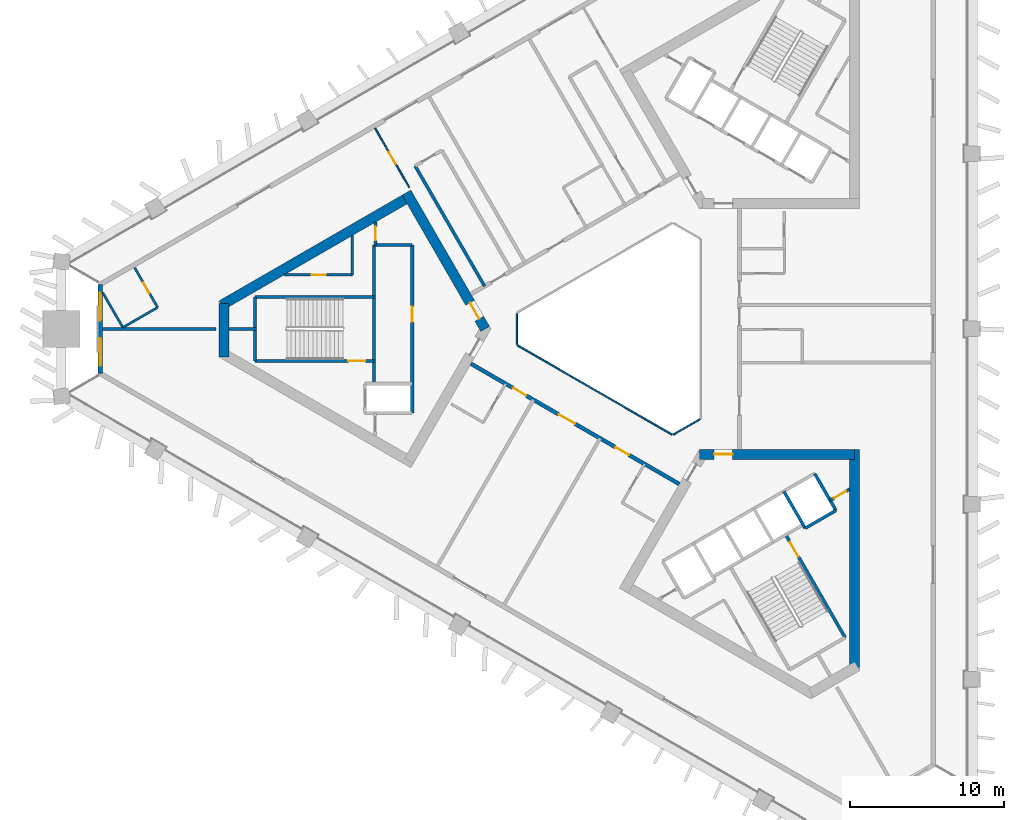
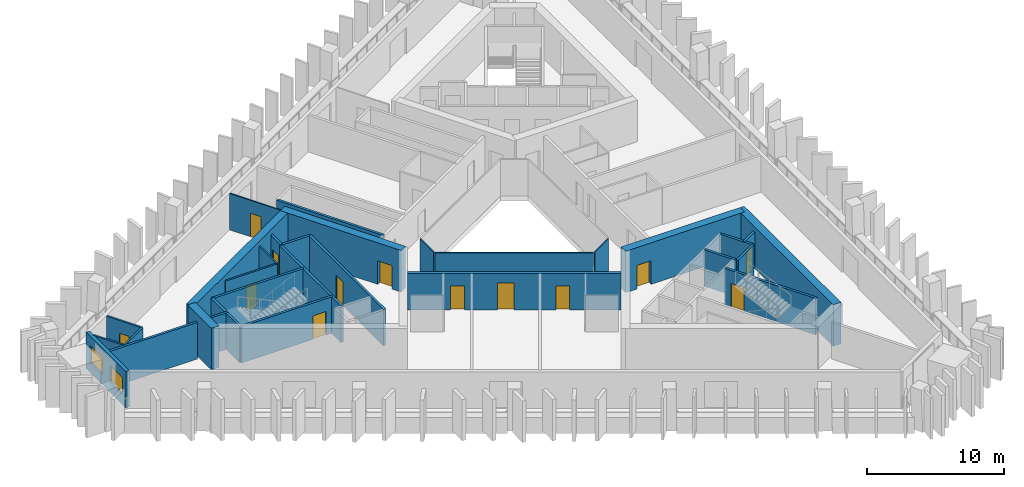
# One storey, part 3 of 10: 31 walls, 13 doors, 2 windows, 15 openings.
"""IFC4 building model written with IfcOpenShell, lengths in metres."""

from ifc_helpers import new_model, si_unit, direction, frame, frame_2d, origin, place, context, subcontext, project, spatial, rectangle, extrude, material, layer, layer_set, type_object, element, fill, save


model = new_model("IFC4")

# Units and contexts
model_context = context("Model", 3, precision=1e-05, world=origin(), true_north=direction((0.0, 1.0)))
body_context = subcontext(model_context, "Body", "Model", "MODEL_VIEW")
ifc_project = project(units=[si_unit("LENGTHUNIT", "METRE"), si_unit("AREAUNIT", "SQUARE_METRE"), si_unit("VOLUMEUNIT", "CUBIC_METRE"), si_unit("PLANEANGLEUNIT", "RADIAN"), si_unit("MASSUNIT", "GRAM", prefix="KILO")], contexts=[model_context])

# Site, building, storey
site_placement = place(None, origin())
site = spatial("IfcSite", under=ifc_project, at=site_placement, CompositionType="ELEMENT")
building_placement = place(site_placement, origin())
building = spatial("IfcBuilding", under=site, at=building_placement, Name="Jabali Bay Hotel Tower and Convention Centre", CompositionType="ELEMENT")
storey_placement = place(building_placement, frame((0.0, 0.0, 121.60009765625)))
storey = spatial("IfcBuildingStorey", under=building, at=storey_placement, Name="L29", CompositionType="ELEMENT", Elevation=121.60009765625)

# Walls
ifc_material_1 = material(Name="Fire-resistant glazing", Category="glass")
ifc_layer_1 = layer(ifc_material_1, 0.10009765625)
ifc_layer_set_1 = layer_set([ifc_layer_1], Name="Fire-resistant glazing")
wall_type_1 = type_object("IfcWallType", Name="Atrium glazed screen 100", PredefinedType="PARTITIONING", material=ifc_layer_set_1)
wall_1_placement = place(storey_placement, frame((67.672119140625, 81.0, 0.0), z_axis=(0.0, 0.0, 1.0), x_axis=(0.0, -1.0, 0.0)))
element("IfcWall", 1, at=wall_1_placement, inside=storey, type_object=wall_type_1, Name="Atrium screen 4 L29", PredefinedType="PARTITIONING", context=body_context, shape_type="SweptSolid", body=[
    extrude(rectangle(XDim=2.0, YDim=0.10009765625, at=frame_2d((1.0, 0.0))), origin(), (0.0, 0.0, 1.0), 3.25),
])
wall_2_placement = place(storey_placement, frame((67.7021484375, 78.947998046875, 0.0), z_axis=(0.0, 0.0, 1.0), x_axis=(0.866026658274, -0.499997827154, 0.0)))
element("IfcWall", 2, at=wall_2_placement, inside=storey, type_object=wall_type_1, Name="Atrium screen 5 L29", PredefinedType="PARTITIONING", context=body_context, shape_type="SweptSolid", body=[
    extrude(rectangle(XDim=11.58837890625, YDim=0.10009765625, at=frame_2d((5.794189453125, 0.0))), origin(), (0.0, 0.0, 1.0), 3.25),
])
wall_3_placement = place(storey_placement, frame((77.7978515625, 73.15380859375, 0.0), z_axis=(0.0, 0.0, 1.0), x_axis=(0.866041268327, 0.499972520799, 0.0)))
element("IfcWall", 3, at=wall_3_placement, inside=storey, type_object=wall_type_1, Name="Atrium screen 6 L29", PredefinedType="PARTITIONING", context=body_context, shape_type="SweptSolid", body=[
    extrude(rectangle(XDim=2.0, YDim=0.10009765625, at=frame_2d((1.0, 0.0))), origin(), (0.0, 0.0, 1.0), 3.25),
])
ifc_material_2 = material(Name="Concrete C40", Category="concrete")
ifc_layer_2 = layer(ifc_material_2, 0.199951171875)
ifc_layer_set_2 = layer_set([ifc_layer_2], Name="Concrete C40")
wall_type_2 = type_object("IfcWallType", Name="Core partition wall 200", PredefinedType="PARTITIONING", material=ifc_layer_set_2)
wall_4_placement = place(storey_placement, frame((50.820068359375, 80.0, 0.0), z_axis=(0.0, 0.0, 1.0), x_axis=(-1.0, 0.0, 0.0)))
element("IfcWall", 4, at=wall_4_placement, inside=storey, type_object=wall_type_2, Name="Core wall 0.3 L29", PredefinedType="PARTITIONING", context=body_context, shape_type="SweptSolid", body=[
    extrude(rectangle(XDim=1.773193359375, YDim=0.199951171875, at=frame_2d((0.88671875, 0.0))), origin(), (0.0, 0.0, 1.0), 3.25),
])

# Wall, opening, door
wall_5_placement = place(storey_placement, frame((58.52001953125, 86.916748046875, 0.0), z_axis=(0.0, 0.0, 1.0), x_axis=(0.0, -1.0, 0.0)))
wall_5 = element("IfcWall", 5, at=wall_5_placement, inside=storey, type_object=wall_type_2, Name="Core wall 0.8 L29", PredefinedType="PARTITIONING", context=body_context, shape_type="SweptSolid", body=[
    extrude(rectangle(XDim=1.466796875, YDim=0.199951171875, at=frame_2d((0.7333984375, 0.0))), origin(), (0.0, 0.0, 1.0), 3.25),
])
opening_1_placement = place(wall_5_placement, frame((0.283447265625, 0.0, 0.0)))
opening_1 = element("IfcOpeningElement", 6, at=opening_1_placement, cuts=wall_5, Name="Opening D644", PredefinedType="OPENING", context=body_context, shape_type="SweptSolid", body=[
    extrude(rectangle(XDim=0.89990234375, YDim=2.10009765625, at=frame_2d((0.449951171875, 1.050048828125))), frame((0.0, 0.1103515625, 0.0), z_axis=(0.0, -1.0, 0.0), x_axis=(1.0, 0.0, 0.0)), (0.0, 0.0, 1.0), 0.220947265625),
])
ifc_material_3 = material(Name="Fire-rated steel door", Category="steel")
door_type_1 = type_object("IfcDoorType", Name="Vestibule fire door 900 x 2100", OperationType="NOTDEFINED", PredefinedType="NOTDEFINED", material=ifc_material_3)
door_1_placement = place(opening_1_placement, origin())
door_1 = element("IfcDoor", 7, at=door_1_placement, inside=storey, type_object=door_type_1, Name="Vestibule fire door D644", OperationType="SINGLE_SWING_LEFT", OverallHeight=2.10009765625, OverallWidth=0.89990234375, PredefinedType="NOTDEFINED", context=body_context, shape_type="SweptSolid", body=[
    extrude(rectangle(XDim=0.89990234375, YDim=2.10009765625, at=frame_2d((0.449951171875, 1.050048828125))), frame((0.0, 0.02490234375, 0.0), z_axis=(0.0, -1.0, 0.0), x_axis=(1.0, 0.0, 0.0)), (0.0, 0.0, 1.0), 0.050048828125),
])
fill(opening_1, door_1)

wall_6_placement = place(storey_placement, frame((87.964599609375, 68.89453125, 0.0), z_axis=(0.0, 0.0, 1.0), x_axis=(0.866054810376, 0.49994906283, 0.0)))
wall_6 = element("IfcWall", 8, at=wall_6_placement, inside=storey, type_object=wall_type_2, Name="Core wall 2.12 L29", PredefinedType="PARTITIONING", context=body_context, shape_type="SweptSolid", body=[
    extrude(rectangle(XDim=1.461181640625, YDim=0.199951171875, at=frame_2d((0.73046875, 0.0))), origin(), (0.0, 0.0, 1.0), 3.25),
])
opening_2_placement = place(wall_6_placement, frame((0.280517578125, 0.0, 0.0)))
opening_2 = element("IfcOpeningElement", 9, at=opening_2_placement, cuts=wall_6, Name="Opening D655", PredefinedType="OPENING", context=body_context, shape_type="SweptSolid", body=[
    extrude(rectangle(XDim=0.89990234375, YDim=2.10009765625, at=frame_2d((0.449951171875, 1.050048828125))), frame((0.0, 0.1103515625, 0.0), z_axis=(0.0, -1.0, 0.0), x_axis=(1.0, 0.0, 0.0)), (0.0, 0.0, 1.0), 0.220947265625),
])
door_2_placement = place(opening_2_placement, origin())
door_2 = element("IfcDoor", 10, at=door_2_placement, inside=storey, type_object=door_type_1, Name="Vestibule fire door D655", OperationType="SINGLE_SWING_LEFT", OverallHeight=2.10009765625, OverallWidth=0.89990234375, PredefinedType="NOTDEFINED", context=body_context, shape_type="SweptSolid", body=[
    extrude(rectangle(XDim=0.89990234375, YDim=2.10009765625, at=frame_2d((0.449951171875, 1.050048828125))), frame((0.0, 0.02490234375, 0.0), z_axis=(0.0, -1.0, 0.0), x_axis=(1.0, 0.0, 0.0)), (0.0, 0.0, 1.0), 0.050048828125),
])
fill(opening_2, door_2)

ifc_material_4 = material(Name="Fire-rated board partition")
ifc_layer_3 = layer(ifc_material_4, 0.14990234375)
ifc_layer_set_3 = layer_set([ifc_layer_3], Name="Fire-rated board partition")
wall_type_3 = type_object("IfcWallType", Name="Core room partition 150", PredefinedType="PARTITIONING", material=ifc_layer_set_3)
wall_7_placement = place(storey_placement, frame((57.02001953125, 83.5, 0.0), z_axis=(0.0, 0.0, 1.0), x_axis=(-1.0, 0.0, 0.0)))
wall_7 = element("IfcWall", 11, at=wall_7_placement, inside=storey, type_object=wall_type_3, Name="Core wall 0.1 L29", PredefinedType="PARTITIONING", context=body_context, shape_type="SweptSolid", body=[
    extrude(rectangle(XDim=4.417724609375, YDim=0.14990234375, at=frame_2d((2.208984375, 0.0))), origin(), (0.0, 0.0, 1.0), 3.25),
])
opening_3_placement = place(wall_7_placement, frame((1.7314453125, 0.0, 0.0)))
opening_3 = element("IfcOpeningElement", 12, at=opening_3_placement, cuts=wall_7, Name="Opening D646", PredefinedType="OPENING", context=body_context, shape_type="SweptSolid", body=[
    extrude(rectangle(XDim=0.89990234375, YDim=2.10009765625, at=frame_2d((0.449951171875, 1.050048828125))), frame((0.0, 0.08544921875, 0.0), z_axis=(0.0, -1.0, 0.0), x_axis=(1.0, 0.0, 0.0)), (0.0, 0.0, 1.0), 0.1708984375),
])
door_type_2 = type_object("IfcDoorType", Name="Core room door 900 x 2100", OperationType="NOTDEFINED", PredefinedType="NOTDEFINED", material=ifc_material_3)
door_3_placement = place(opening_3_placement, origin())
door_3 = element("IfcDoor", 13, at=door_3_placement, inside=storey, type_object=door_type_2, Name="Core room door D646", OperationType="SINGLE_SWING_LEFT", OverallHeight=2.10009765625, OverallWidth=0.89990234375, PredefinedType="NOTDEFINED", context=body_context, shape_type="SweptSolid", body=[
    extrude(rectangle(XDim=0.89990234375, YDim=2.10009765625, at=frame_2d((0.449951171875, 1.050048828125))), frame((0.0, 0.02490234375, 0.0), z_axis=(0.0, -1.0, 0.0), x_axis=(1.0, 0.0, 0.0)), (0.0, 0.0, 1.0), 0.050048828125),
])
fill(opening_3, door_3)

# Walls
wall_8_placement = place(storey_placement, frame((57.02001953125, 86.050537109375, 0.0), z_axis=(0.0, 0.0, 1.0), x_axis=(0.0, -1.0, 0.0)))
element("IfcWall", 14, at=wall_8_placement, inside=storey, type_object=wall_type_3, Name="Core wall 0.12 L29", PredefinedType="PARTITIONING", context=body_context, shape_type="SweptSolid", body=[
    extrude(rectangle(XDim=2.550537109375, YDim=0.14990234375, at=frame_2d((1.275390625, 0.0))), origin(), (0.0, 0.0, 1.0), 3.25),
])
ifc_layer_4 = layer(ifc_material_2, 0.199951171875)
ifc_layer_set_4 = layer_set([ifc_layer_4], Name="Concrete C40")
wall_type_4 = type_object("IfcWallType", Name="Core stair wall 200", PredefinedType="SOLIDWALL", material=ifc_layer_set_4)
wall_9_placement = place(storey_placement, frame((60.89990234375, 85.449951171875, 0.0), z_axis=(0.0, 0.0, 1.0), x_axis=(-1.0, 0.0, 0.0)))
element("IfcWall", 15, at=wall_9_placement, inside=storey, type_object=wall_type_4, Name="Core wall 0.0 L29", PredefinedType="SOLIDWALL", context=body_context, shape_type="SweptSolid", body=[
    extrude(rectangle(XDim=2.47998046875, YDim=0.199951171875, at=frame_2d((1.239990234375, 0.0))), origin(), (0.0, 0.0, 1.0), 3.25),
])
wall_10_placement = place(storey_placement, frame((58.419921875, 82.074951171875, 0.0), z_axis=(0.0, 0.0, 1.0), x_axis=(-1.0, 0.0, 0.0)))
element("IfcWall", 16, at=wall_10_placement, inside=storey, type_object=wall_type_4, Name="Core wall 0.2 L29", PredefinedType="SOLIDWALL", context=body_context, shape_type="SweptSolid", body=[
    extrude(rectangle(XDim=7.699951171875, YDim=0.199951171875, at=frame_2d((3.85009765625, 0.0))), origin(), (0.0, 0.0, 1.0), 3.25),
])

# Wall, opening, door
wall_11_placement = place(storey_placement, frame((58.419921875, 77.925048828125, 0.0), z_axis=(0.0, 0.0, 1.0), x_axis=(-1.0, 0.0, 0.0)))
wall_11 = element("IfcWall", 17, at=wall_11_placement, inside=storey, type_object=wall_type_4, Name="Core wall 0.4 L29", PredefinedType="SOLIDWALL", context=body_context, shape_type="SweptSolid", body=[
    extrude(rectangle(XDim=7.699951171875, YDim=0.199951171875, at=frame_2d((3.85009765625, 0.0))), origin(), (0.0, 0.0, 1.0), 3.25),
])
opening_4_placement = place(wall_11_placement, frame((0.550048828125, 0.0, 0.0)))
opening_4 = element("IfcOpeningElement", 18, at=opening_4_placement, cuts=wall_11, Name="Opening D645", PredefinedType="OPENING", context=body_context, shape_type="SweptSolid", body=[
    extrude(rectangle(XDim=1.10009765625, YDim=2.10009765625, at=frame_2d((0.550048828125, 1.050048828125))), frame((0.0, 0.1103515625, 0.0), z_axis=(0.0, -1.0, 0.0), x_axis=(1.0, 0.0, 0.0)), (0.0, 0.0, 1.0), 0.220947265625),
])
door_type_3 = type_object("IfcDoorType", Name="Stair fire door 1100 x 2100", OperationType="NOTDEFINED", PredefinedType="NOTDEFINED", material=ifc_material_3)
door_4_placement = place(opening_4_placement, origin())
door_4 = element("IfcDoor", 19, at=door_4_placement, inside=storey, type_object=door_type_3, Name="Stair fire door D645", OperationType="SINGLE_SWING_RIGHT", OverallHeight=2.10009765625, OverallWidth=1.10009765625, PredefinedType="NOTDEFINED", context=body_context, shape_type="SweptSolid", body=[
    extrude(rectangle(XDim=1.10009765625, YDim=2.10009765625, at=frame_2d((0.550048828125, 1.050048828125))), frame((0.0, 0.02490234375, 0.0), z_axis=(0.0, -1.0, 0.0), x_axis=(1.0, 0.0, 0.0)), (0.0, 0.0, 1.0), 0.050048828125),
])
fill(opening_4, door_4)

wall_12_placement = place(storey_placement, frame((60.89990234375, 85.449951171875, 0.0), z_axis=(0.0, 0.0, 1.0), x_axis=(0.0, -1.0, 0.0)))
wall_12 = element("IfcWall", 20, at=wall_12_placement, inside=storey, type_object=wall_type_4, Name="Core wall 0.7 L29", PredefinedType="SOLIDWALL", context=body_context, shape_type="SweptSolid", body=[
    extrude(rectangle(XDim=10.89990234375, YDim=0.199951171875, at=frame_2d((5.449951171875, 0.0))), origin(), (0.0, 0.0, 1.0), 3.25),
])
opening_5_placement = place(wall_12_placement, frame((4.0, 0.0, 0.0)))
opening_5 = element("IfcOpeningElement", 21, at=opening_5_placement, cuts=wall_12, Name="Opening D642", PredefinedType="OPENING", context=body_context, shape_type="SweptSolid", body=[
    extrude(rectangle(XDim=1.0, YDim=2.10009765625, at=frame_2d((0.5, 1.050048828125))), frame((0.0, 0.1103515625, 0.0), z_axis=(0.0, -1.0, 0.0), x_axis=(1.0, 0.0, 0.0)), (0.0, 0.0, 1.0), 0.220947265625),
])
door_type_4 = type_object("IfcDoorType", Name="Core room door 1000 x 2100", OperationType="NOTDEFINED", PredefinedType="NOTDEFINED", material=ifc_material_3)
door_5_placement = place(opening_5_placement, origin())
door_5 = element("IfcDoor", 22, at=door_5_placement, inside=storey, type_object=door_type_4, Name="Core room door D642", OperationType="SINGLE_SWING_RIGHT", OverallHeight=2.10009765625, OverallWidth=1.0, PredefinedType="NOTDEFINED", context=body_context, shape_type="SweptSolid", body=[
    extrude(rectangle(XDim=1.0, YDim=2.10009765625, at=frame_2d((0.5, 1.050048828125))), frame((0.0, 0.02490234375, 0.0), z_axis=(0.0, -1.0, 0.0), x_axis=(1.0, 0.0, 0.0)), (0.0, 0.0, 1.0), 0.050048828125),
])
fill(opening_5, door_5)

# Walls
wall_13_placement = place(storey_placement, frame((58.419921875, 85.449951171875, 0.0), z_axis=(0.0, 0.0, 1.0), x_axis=(0.0, -1.0, 0.0)))
element("IfcWall", 23, at=wall_13_placement, inside=storey, type_object=wall_type_4, Name="Core wall 0.10 L29", PredefinedType="SOLIDWALL", context=body_context, shape_type="SweptSolid", body=[
    extrude(rectangle(XDim=9.0, YDim=0.199951171875, at=frame_2d((4.5, 0.0))), origin(), (0.0, 0.0, 1.0), 3.25),
])
wall_14_placement = place(storey_placement, frame((50.719970703125, 82.074951171875, 0.0), z_axis=(0.0, 0.0, 1.0), x_axis=(0.0, -1.0, 0.0)))
element("IfcWall", 24, at=wall_14_placement, inside=storey, type_object=wall_type_4, Name="Core wall 0.13 L29", PredefinedType="SOLIDWALL", context=body_context, shape_type="SweptSolid", body=[
    extrude(rectangle(XDim=4.14990234375, YDim=0.199951171875, at=frame_2d((2.074951171875, 0.0))), origin(), (0.0, 0.0, 1.0), 3.25),
])

# Wall, opening, door
wall_15_placement = place(storey_placement, frame((85.0869140625, 66.6787109375, 0.0), z_axis=(0.0, 0.0, 1.0), x_axis=(0.500019787375, -0.866013979237, 0.0)))
wall_15 = element("IfcWall", 25, at=wall_15_placement, inside=storey, type_object=wall_type_4, Name="Core wall 2.7 L29", PredefinedType="SOLIDWALL", context=body_context, shape_type="SweptSolid", body=[
    extrude(rectangle(XDim=7.699951171875, YDim=0.199951171875, at=frame_2d((3.85009765625, 0.0))), origin(), (0.0, 0.0, 1.0), 3.25),
])
opening_6_placement = place(wall_15_placement, frame((0.550048828125, 0.0, 0.0)))
opening_6 = element("IfcOpeningElement", 26, at=opening_6_placement, cuts=wall_15, Name="Opening D657", PredefinedType="OPENING", context=body_context, shape_type="SweptSolid", body=[
    extrude(rectangle(XDim=1.10009765625, YDim=2.10009765625, at=frame_2d((0.550048828125, 1.050048828125))), frame((0.0, 0.1103515625, 0.0), z_axis=(0.0, -1.0, 0.0), x_axis=(1.0, 0.0, 0.0)), (0.0, 0.0, 1.0), 0.220947265625),
])
door_6_placement = place(opening_6_placement, origin())
door_6 = element("IfcDoor", 27, at=door_6_placement, inside=storey, type_object=door_type_3, Name="Stair fire door D657", OperationType="SINGLE_SWING_RIGHT", OverallHeight=2.10009765625, OverallWidth=1.10009765625, PredefinedType="NOTDEFINED", context=body_context, shape_type="SweptSolid", body=[
    extrude(rectangle(XDim=1.10009765625, YDim=2.10009765625, at=frame_2d((0.550048828125, 1.050048828125))), frame((0.0, 0.02490234375, 0.0), z_axis=(0.0, -1.0, 0.0), x_axis=(1.0, 0.0, 0.0)), (0.0, 0.0, 1.0), 0.050048828125),
])
fill(opening_6, door_6)

# Walls
for number, where, z_axis, x_axis, name in (
    (28, (84.972900390625, 69.4765625, 0.0), (0.0, 0.0, 1.0), (0.499996545922, -0.866027397988, 0.0), "Core wall 2.8 L29"),
    (29, (86.964599609375, 70.62646484375, 0.0), (0.0, 0.0, 1.0), (0.499996545922, -0.866027397988, 0.0), "Core wall 2.9 L29"),
):
    element("IfcWall", number, at=place(storey_placement, frame(where, z_axis=z_axis, x_axis=x_axis)), inside=storey, type_object=wall_type_4, Name=name, PredefinedType="SOLIDWALL", context=body_context, shape_type="SweptSolid", body=[
        extrude(rectangle(XDim=2.75, YDim=0.199951171875, at=frame_2d((1.375, 0.0))), origin(), (0.0, 0.0, 1.0), 3.25),
    ])
wall_16_placement = place(storey_placement, frame((86.347900390625, 67.094970703125, 0.0), z_axis=(0.0, 0.0, 1.0), x_axis=(0.86602648383, 0.499998129301, 0.0)))
element("IfcWall", 30, at=wall_16_placement, inside=storey, type_object=wall_type_4, Name="Core wall 2.15 L29", PredefinedType="SOLIDWALL", context=body_context, shape_type="SweptSolid", body=[
    extrude(rectangle(XDim=2.2998046875, YDim=0.199951171875, at=frame_2d((1.14990234375, 0.0))), origin(), (0.0, 0.0, 1.0), 3.25),
])

# Wall, opening, door
ifc_material_5 = material(Name="Concrete C60", Category="concrete")
ifc_layer_5 = layer(ifc_material_5, 0.64990234375)
ifc_layer_set_5 = layer_set([ifc_layer_5], Name="Concrete C60")
wall_type_5 = type_object("IfcWallType", Name="Core wall 650", PredefinedType="SHEAR", material=ifc_layer_set_5)
wall_17_placement = place(storey_placement, frame((65.624755859375, 80.0, 0.0), z_axis=(0.0, 0.0, 1.0), x_axis=(-0.49999822179, 0.866026430432, 0.0)))
wall_17 = element("IfcWall", 31, at=wall_17_placement, inside=storey, type_object=wall_type_5, Name="Core wall 1.1 L29", PredefinedType="SHEAR", context=body_context, shape_type="SweptSolid", body=[
    extrude(rectangle(XDim=10.1923828125, YDim=0.64990234375, at=frame_2d((5.09619140625, 0.0))), origin(), (0.0, 0.0, 1.0), 3.699951171875),
])
opening_7_placement = place(wall_17_placement, frame((0.762451171875, 0.0, 0.0)))
opening_7 = element("IfcOpeningElement", 32, at=opening_7_placement, cuts=wall_17, Name="Opening D640", PredefinedType="OPENING", context=body_context, shape_type="SweptSolid", body=[
    extrude(rectangle(XDim=1.199951171875, YDim=2.10009765625, at=frame_2d((0.60009765625, 1.050048828125))), frame((0.0, 0.33544921875, 0.0), z_axis=(0.0, -1.0, 0.0), x_axis=(1.0, 0.0, 0.0)), (0.0, 0.0, 1.0), 0.6708984375),
])
door_type_5 = type_object("IfcDoorType", Name="Corridor end fire door 1200 x 2100", OperationType="NOTDEFINED", PredefinedType="NOTDEFINED", material=ifc_material_3)
door_7_placement = place(opening_7_placement, origin())
door_7 = element("IfcDoor", 33, at=door_7_placement, inside=storey, type_object=door_type_5, Name="Corridor end fire door D640", OperationType="SINGLE_SWING_RIGHT", OverallHeight=2.10009765625, OverallWidth=1.199951171875, PredefinedType="NOTDEFINED", context=body_context, shape_type="SweptSolid", body=[
    extrude(rectangle(XDim=1.199951171875, YDim=2.10009765625, at=frame_2d((0.60009765625, 1.050048828125))), frame((0.0, 0.02490234375, 0.0), z_axis=(0.0, -1.0, 0.0), x_axis=(1.0, 0.0, 0.0)), (0.0, 0.0, 1.0), 0.050048828125),
])
fill(opening_7, door_7)

# Walls
wall_18_placement = place(storey_placement, frame((60.691162109375, 88.54541015625, 0.0), z_axis=(0.0, 0.0, 1.0), x_axis=(-0.866030607649, -0.499990986534, 0.0)))
element("IfcWall", 34, at=wall_18_placement, inside=storey, type_object=wall_type_5, Name="Core wall 1.2 L29", PredefinedType="SHEAR", context=body_context, shape_type="SweptSolid", body=[
    extrude(rectangle(XDim=14.008544921875, YDim=0.64990234375, at=frame_2d((7.00439453125, 0.0))), origin(), (0.0, 0.0, 1.0), 3.699951171875),
])
wall_19_placement = place(storey_placement, frame((48.721923828125, 81.635009765625, 0.0), z_axis=(0.0, 0.0, 1.0), x_axis=(0.0, -1.0, 0.0)))
element("IfcWall", 35, at=wall_19_placement, inside=storey, type_object=wall_type_5, Name="Core wall 1.3 L29", PredefinedType="SHEAR", context=body_context, shape_type="SweptSolid", body=[
    extrude(rectangle(XDim=3.457763671875, YDim=0.64990234375, at=frame_2d((1.72900390625, 0.0))), origin(), (0.0, 0.0, 1.0), 3.699951171875),
])
wall_20_placement = place(storey_placement, frame((89.554931640625, 58.06005859375, 0.0), z_axis=(0.0, 0.0, 1.0), x_axis=(0.0, 1.0, 0.0)))
element("IfcWall", 36, at=wall_20_placement, inside=storey, type_object=wall_type_5, Name="Core wall 3.4 L29", PredefinedType="SHEAR", context=body_context, shape_type="SweptSolid", body=[
    extrude(rectangle(XDim=14.145751953125, YDim=0.64990234375, at=frame_2d((7.07275390625, 0.0))), origin(), (0.0, 0.0, 1.0), 3.699951171875),
])

# Wall, opening, door
wall_21_placement = place(storey_placement, frame((89.554931640625, 71.880859375, 0.0), z_axis=(0.0, 0.0, 1.0), x_axis=(-1.0, 0.0, 0.0)))
wall_21 = element("IfcWall", 37, at=wall_21_placement, inside=storey, type_object=wall_type_5, Name="Core wall 3.5 L29", PredefinedType="SHEAR", context=body_context, shape_type="SweptSolid", body=[
    extrude(rectangle(XDim=10.054931640625, YDim=0.64990234375, at=frame_2d((5.02734375, 0.0))), origin(), (0.0, 0.0, 1.0), 3.699951171875),
])
opening_8_placement = place(wall_21_placement, frame((7.905029296875, 0.0, 0.0)))
opening_8 = element("IfcOpeningElement", 38, at=opening_8_placement, cuts=wall_21, Name="Opening D654", PredefinedType="OPENING", context=body_context, shape_type="SweptSolid", body=[
    extrude(rectangle(XDim=1.199951171875, YDim=2.10009765625, at=frame_2d((0.60009765625, 1.050048828125))), frame((0.0, 0.33544921875, 0.0), z_axis=(0.0, -1.0, 0.0), x_axis=(1.0, 0.0, 0.0)), (0.0, 0.0, 1.0), 0.6708984375),
])
door_8_placement = place(opening_8_placement, origin())
door_8 = element("IfcDoor", 39, at=door_8_placement, inside=storey, type_object=door_type_5, Name="Corridor end fire door D654", OperationType="SINGLE_SWING_LEFT", OverallHeight=2.10009765625, OverallWidth=1.199951171875, PredefinedType="NOTDEFINED", context=body_context, shape_type="SweptSolid", body=[
    extrude(rectangle(XDim=1.199951171875, YDim=2.10009765625, at=frame_2d((0.60009765625, 1.050048828125))), frame((0.0, 0.02490234375, 0.0), z_axis=(0.0, -1.0, 0.0), x_axis=(1.0, 0.0, 0.0)), (0.0, 0.0, 1.0), 0.050048828125),
])
fill(opening_8, door_8)

# Wall, openings, doors
ifc_layer_6 = layer(ifc_material_5, 0.25)
ifc_layer_set_6 = layer_set([ifc_layer_6], Name="Concrete C60")
wall_type_6 = type_object("IfcWallType", Name="Corridor wall 250", PredefinedType="SHEAR", material=ifc_layer_set_6)
wall_22_placement = place(storey_placement, frame((64.699951171875, 77.748291015625, 0.0), z_axis=(0.0, 0.0, 1.0), x_axis=(0.866026492143, -0.499998114903, 0.0)))
wall_22 = element("IfcWall", 40, at=wall_22_placement, inside=storey, type_object=wall_type_6, Name="Corridor wall 3 L29", PredefinedType="SHEAR", context=body_context, shape_type="SweptSolid", body=[
    extrude(rectangle(XDim=15.58837890625, YDim=0.25, at=frame_2d((7.794189453125, 0.0))), origin(), (0.0, 0.0, 1.0), 3.25),
])
opening_9_placement = place(wall_22_placement, frame((3.13818359375, 0.0, 0.0)))
opening_9 = element("IfcOpeningElement", 41, at=opening_9_placement, cuts=wall_22, Name="Opening 2918", PredefinedType="OPENING", context=body_context, shape_type="SweptSolid", body=[
    extrude(rectangle(XDim=1.0, YDim=2.10009765625, at=frame_2d((0.5, 1.050048828125))), frame((0.0, 0.135498046875, 0.0), z_axis=(0.0, -1.0, 0.0), x_axis=(1.0, 0.0, 0.0)), (0.0, 0.0, 1.0), 0.27099609375),
])
opening_10_placement = place(wall_22_placement, frame((6.57080078125, 0.0, 0.0)))
opening_10 = element("IfcOpeningElement", 42, at=opening_10_placement, cuts=wall_22, Name="Opening 2919", PredefinedType="OPENING", context=body_context, shape_type="SweptSolid", body=[
    extrude(rectangle(XDim=1.199951171875, YDim=2.39990234375, at=frame_2d((0.60009765625, 1.199951171875))), frame((0.0, 0.135498046875, 0.0), z_axis=(0.0, -1.0, 0.0), x_axis=(1.0, 0.0, 0.0)), (0.0, 0.0, 1.0), 0.27099609375),
])
opening_11_placement = place(wall_22_placement, frame((10.82666015625, 0.0, 0.0)))
opening_11 = element("IfcOpeningElement", 43, at=opening_11_placement, cuts=wall_22, Name="Opening 2921", PredefinedType="OPENING", context=body_context, shape_type="SweptSolid", body=[
    extrude(rectangle(XDim=1.0, YDim=2.10009765625, at=frame_2d((0.5, 1.050048828125))), frame((0.0, 0.135498046875, 0.0), z_axis=(0.0, -1.0, 0.0), x_axis=(1.0, 0.0, 0.0)), (0.0, 0.0, 1.0), 0.27099609375),
])
ifc_material_6 = material(Name="Timber", Category="wood")
door_type_6 = type_object("IfcDoorType", Name="Guest room door 1000 x 2100", OperationType="NOTDEFINED", PredefinedType="NOTDEFINED", material=ifc_material_6)
door_9_placement = place(opening_9_placement, origin())
door_9 = element("IfcDoor", 44, at=door_9_placement, inside=storey, type_object=door_type_6, Name="Door 2918", OperationType="SINGLE_SWING_LEFT", OverallHeight=2.10009765625, OverallWidth=1.0, PredefinedType="NOTDEFINED", context=body_context, shape_type="SweptSolid", body=[
    extrude(rectangle(XDim=1.0, YDim=2.10009765625, at=frame_2d((0.5, 1.050048828125))), frame((0.0, 0.02490234375, 0.0), z_axis=(0.0, -1.0, 0.0), x_axis=(1.0, 0.0, 0.0)), (0.0, 0.0, 1.0), 0.050048828125),
])
fill(opening_9, door_9)
door_10_placement = place(opening_11_placement, origin())
door_10 = element("IfcDoor", 45, at=door_10_placement, inside=storey, type_object=door_type_6, Name="Door 2921", OperationType="SINGLE_SWING_RIGHT", OverallHeight=2.10009765625, OverallWidth=1.0, PredefinedType="NOTDEFINED", context=body_context, shape_type="SweptSolid", body=[
    extrude(rectangle(XDim=1.0, YDim=2.10009765625, at=frame_2d((0.5, 1.050048828125))), frame((0.0, 0.02490234375, 0.0), z_axis=(0.0, -1.0, 0.0), x_axis=(1.0, 0.0, 0.0)), (0.0, 0.0, 1.0), 0.050048828125),
])
fill(opening_11, door_10)
door_type_7 = type_object("IfcDoorType", Name="Public room door 1200 x 2400", OperationType="NOTDEFINED", PredefinedType="NOTDEFINED", material=ifc_material_6)
door_11_placement = place(opening_10_placement, origin())
door_11 = element("IfcDoor", 46, at=door_11_placement, inside=storey, type_object=door_type_7, Name="Door 2919", OperationType="SINGLE_SWING_LEFT", OverallHeight=2.39990234375, OverallWidth=1.199951171875, PredefinedType="NOTDEFINED", context=body_context, shape_type="SweptSolid", body=[
    extrude(rectangle(XDim=1.199951171875, YDim=2.39990234375, at=frame_2d((0.60009765625, 1.199951171875))), frame((0.0, 0.02490234375, 0.0), z_axis=(0.0, -1.0, 0.0), x_axis=(1.0, 0.0, 0.0)), (0.0, 0.0, 1.0), 0.050048828125),
])
fill(opening_10, door_11)

# Wall, openings, windows
ifc_layer_7 = layer(ifc_material_2, 0.300048828125)
ifc_layer_set_7 = layer_set([ifc_layer_7], Name="Concrete C40")
wall_type_7 = type_object("IfcWallType", Name="External wall 300", PredefinedType="SOLIDWALL", material=ifc_layer_set_7)
wall_23_placement = place(storey_placement, frame((40.705810546875, 77.109130859375, 0.0), z_axis=(0.0, 0.0, 1.0), x_axis=(0.0, 1.0, 0.0)))
wall_23 = element("IfcWall", 47, at=wall_23_placement, inside=storey, type_object=wall_type_7, Name="External wall west chamfer L29", PredefinedType="SOLIDWALL", context=body_context, shape_type="SweptSolid", body=[
    extrude(rectangle(XDim=5.78173828125, YDim=0.300048828125, at=frame_2d((2.890869140625, 0.0))), origin(), (0.0, 0.0, 1.0), 3.25),
])
opening_12_placement = place(wall_23_placement, frame((3.4267578125, 0.0, 0.89990234375)))
opening_12 = element("IfcOpeningElement", 48, at=opening_12_placement, cuts=wall_23, Name="Opening W1", PredefinedType="OPENING", context=body_context, shape_type="SweptSolid", body=[
    extrude(rectangle(XDim=1.800048828125, YDim=1.5, at=frame_2d((0.89990234375, 0.75))), frame((0.0, 0.16064453125, 0.0), z_axis=(0.0, -1.0, 0.0), x_axis=(1.0, 0.0, 0.0)), (0.0, 0.0, 1.0), 0.321044921875),
])
opening_13_placement = place(wall_23_placement, frame((0.502685546875, 0.0, 0.89990234375)))
opening_13 = element("IfcOpeningElement", 49, at=opening_13_placement, cuts=wall_23, Name="Opening W1", PredefinedType="OPENING", context=body_context, shape_type="SweptSolid", body=[
    extrude(rectangle(XDim=1.800048828125, YDim=1.5, at=frame_2d((0.89990234375, 0.75))), frame((0.0, 0.16064453125, 0.0), z_axis=(0.0, -1.0, 0.0), x_axis=(1.0, 0.0, 0.0)), (0.0, 0.0, 1.0), 0.321044921875),
])
ifc_material_7 = material(Name="Glass", Category="glass")
window_type = type_object("IfcWindowType", Name="Window 1800 x 1500", PartitioningType="SINGLE_PANEL", PredefinedType="WINDOW", material=ifc_material_7)
window_1_placement = place(opening_12_placement, origin())
window_1 = element("IfcWindow", 50, at=window_1_placement, inside=storey, type_object=window_type, Name="Window 2907", OverallHeight=1.5, OverallWidth=1.800048828125, PartitioningType="SINGLE_PANEL", PredefinedType="WINDOW", context=body_context, shape_type="SweptSolid", body=[
    extrude(rectangle(XDim=1.800048828125, YDim=1.5, at=frame_2d((0.89990234375, 0.75))), frame((0.0, 0.030029296875, 0.0), z_axis=(0.0, -1.0, 0.0), x_axis=(1.0, 0.0, 0.0)), (0.0, 0.0, 1.0), 0.06005859375),
])
fill(opening_12, window_1)
window_2_placement = place(opening_13_placement, origin())
window_2 = element("IfcWindow", 51, at=window_2_placement, inside=storey, type_object=window_type, Name="Window 2909", OverallHeight=1.5, OverallWidth=1.800048828125, PartitioningType="SINGLE_PANEL", PredefinedType="WINDOW", context=body_context, shape_type="SweptSolid", body=[
    extrude(rectangle(XDim=1.800048828125, YDim=1.5, at=frame_2d((0.89990234375, 0.75))), frame((0.0, 0.030029296875, 0.0), z_axis=(0.0, -1.0, 0.0), x_axis=(1.0, 0.0, 0.0)), (0.0, 0.0, 1.0), 0.06005859375),
])
fill(opening_13, window_2)

# Wall, opening, door
ifc_material_8 = material(Name="Plasterboard on steel stud", Category="steel")
ifc_layer_8 = layer(ifc_material_8, 0.10009765625)
ifc_layer_set_8 = layer_set([ifc_layer_8], Name="Plasterboard on steel stud")
wall_type_8 = type_object("IfcWallType", Name="Partition 100 unit", PredefinedType="PARTITIONING", material=ifc_layer_set_8)
wall_24_placement = place(storey_placement, frame((58.499267578125, 92.991943359375, 0.0), z_axis=(0.0, 0.0, 1.0), x_axis=(0.499956595832, -0.866050461743, 0.0)))
wall_24 = element("IfcWall", 52, at=wall_24_placement, inside=storey, type_object=wall_type_8, Name="Partition P02 L29 024", PredefinedType="PARTITIONING", context=body_context, shape_type="SweptSolid", body=[
    extrude(rectangle(XDim=4.4228515625, YDim=0.10009765625, at=frame_2d((2.21142578125, 0.0))), origin(), (0.0, 0.0, 1.0), 3.25),
])
opening_14_placement = place(wall_24_placement, frame((1.760986328125, 0.0, 0.0)))
opening_14 = element("IfcOpeningElement", 53, at=opening_14_placement, cuts=wall_24, Name="Opening 2914", PredefinedType="OPENING", context=body_context, shape_type="SweptSolid", body=[
    extrude(rectangle(XDim=0.89990234375, YDim=2.10009765625, at=frame_2d((0.449951171875, 1.050048828125))), frame((0.0, 0.060546875, 0.0), z_axis=(0.0, -1.0, 0.0), x_axis=(1.0, 0.0, 0.0)), (0.0, 0.0, 1.0), 0.12109375),
])
door_type_8 = type_object("IfcDoorType", Name="Internal door 900 x 2100", OperationType="NOTDEFINED", PredefinedType="NOTDEFINED", material=ifc_material_6)
door_12_placement = place(opening_14_placement, origin())
door_12 = element("IfcDoor", 54, at=door_12_placement, inside=storey, type_object=door_type_8, Name="Door 2914", OperationType="SINGLE_SWING_LEFT", OverallHeight=2.10009765625, OverallWidth=0.89990234375, PredefinedType="NOTDEFINED", context=body_context, shape_type="SweptSolid", body=[
    extrude(rectangle(XDim=0.89990234375, YDim=2.10009765625, at=frame_2d((0.449951171875, 1.050048828125))), frame((0.0, 0.02490234375, 0.0), z_axis=(0.0, -1.0, 0.0), x_axis=(1.0, 0.0, 0.0)), (0.0, 0.0, 1.0), 0.050048828125),
])
fill(opening_14, door_12)

ifc_layer_9 = layer(ifc_material_8, 0.14990234375)
ifc_layer_set_9 = layer_set([ifc_layer_9], Name="Plasterboard on steel stud")
wall_type_9 = type_object("IfcWallType", Name="Partition 150 wet", PredefinedType="PARTITIONING", material=ifc_layer_set_9)
wall_25_placement = place(storey_placement, frame((42.93115234375, 83.956298828125, 0.0), z_axis=(0.0, 0.0, 1.0), x_axis=(0.500034292361, -0.866005604176, 0.0)))
wall_25 = element("IfcWall", 55, at=wall_25_placement, inside=storey, type_object=wall_type_9, Name="Partition P03 L29 028", PredefinedType="PARTITIONING", context=body_context, shape_type="SweptSolid", body=[
    extrude(rectangle(XDim=2.959228515625, YDim=0.14990234375, at=frame_2d((1.4794921875, 0.0))), origin(), (0.0, 0.0, 1.0), 3.25),
])
opening_15_placement = place(wall_25_placement, frame((1.109130859375, 0.0, 0.0)))
opening_15 = element("IfcOpeningElement", 56, at=opening_15_placement, cuts=wall_25, Name="Opening 2915", PredefinedType="OPENING", context=body_context, shape_type="SweptSolid", body=[
    extrude(rectangle(XDim=0.800048828125, YDim=2.10009765625, at=frame_2d((0.39990234375, 1.050048828125))), frame((0.0, 0.08544921875, 0.0), z_axis=(0.0, -1.0, 0.0), x_axis=(1.0, 0.0, 0.0)), (0.0, 0.0, 1.0), 0.1708984375),
])
door_type_9 = type_object("IfcDoorType", Name="En-suite door 800 x 2100", OperationType="NOTDEFINED", PredefinedType="NOTDEFINED", material=ifc_material_6)
door_13_placement = place(opening_15_placement, origin())
door_13 = element("IfcDoor", 57, at=door_13_placement, inside=storey, type_object=door_type_9, Name="Door 2915", OperationType="SINGLE_SWING_LEFT", OverallHeight=2.10009765625, OverallWidth=0.800048828125, PredefinedType="NOTDEFINED", context=body_context, shape_type="SweptSolid", body=[
    extrude(rectangle(XDim=0.800048828125, YDim=2.10009765625, at=frame_2d((0.39990234375, 1.050048828125))), frame((0.0, 0.02490234375, 0.0), z_axis=(0.0, -1.0, 0.0), x_axis=(1.0, 0.0, 0.0)), (0.0, 0.0, 1.0), 0.050048828125),
])
fill(opening_15, door_13)

# Walls
wall_26_placement = place(storey_placement, frame((44.410888671875, 81.3935546875, 0.0), z_axis=(0.0, 0.0, 1.0), x_axis=(-0.866062058628, -0.499936506574, 0.0)))
element("IfcWall", 58, at=wall_26_placement, inside=storey, type_object=wall_type_9, Name="Partition P03 L29 029", PredefinedType="PARTITIONING", context=body_context, shape_type="SweptSolid", body=[
    extrude(rectangle(XDim=2.599853515625, YDim=0.14990234375, at=frame_2d((1.2998046875, 0.0))), origin(), (0.0, 0.0, 1.0), 3.25),
])
wall_27_placement = place(storey_placement, frame((42.1591796875, 80.09375, 0.0), z_axis=(0.0, 0.0, 1.0), x_axis=(-0.500024943202, 0.866011002341, 0.0)))
element("IfcWall", 59, at=wall_27_placement, inside=storey, type_object=wall_type_9, Name="Partition P03 L29 030", PredefinedType="PARTITIONING", context=body_context, shape_type="SweptSolid", body=[
    extrude(rectangle(XDim=2.608154296875, YDim=0.14990234375, at=frame_2d((1.30419921875, 0.0))), origin(), (0.0, 0.0, 1.0), 3.25),
])
ifc_layer_10 = layer(ifc_material_8, 0.199951171875)
ifc_layer_set_10 = layer_set([ifc_layer_10], Name="Plasterboard on steel stud")
wall_type_10 = type_object("IfcWallType", Name="Partition 200 party", PredefinedType="PARTITIONING", material=ifc_layer_set_10)
wall_28_placement = place(storey_placement, frame((65.5888671875, 82.764892578125, 0.0), z_axis=(0.0, 0.0, 1.0), x_axis=(-0.5000018851, 0.866024315419, 0.0)))
element("IfcWall", 60, at=wall_28_placement, inside=storey, type_object=wall_type_10, Name="Partition P01 L29 025", PredefinedType="PARTITIONING", context=body_context, shape_type="SweptSolid", body=[
    extrude(rectangle(XDim=9.0, YDim=0.199951171875, at=frame_2d((4.5, 0.0))), origin(), (0.0, 0.0, 1.0), 3.25),
])
wall_29_placement = place(storey_placement, frame((40.85498046875, 80.0009765625, 0.0), z_axis=(0.0, 0.0, 1.0), x_axis=(1.0, 0.0, 0.0)))
element("IfcWall", 61, at=wall_29_placement, inside=storey, type_object=wall_type_10, Name="Partition P01 L29 031", PredefinedType="PARTITIONING", context=body_context, shape_type="SweptSolid", body=[
    extrude(rectangle(XDim=7.343017578125, YDim=0.199951171875, at=frame_2d((3.67138671875, 0.0))), origin(), (0.0, 0.0, 1.0), 3.25),
])

save(model, "model.ifc")
